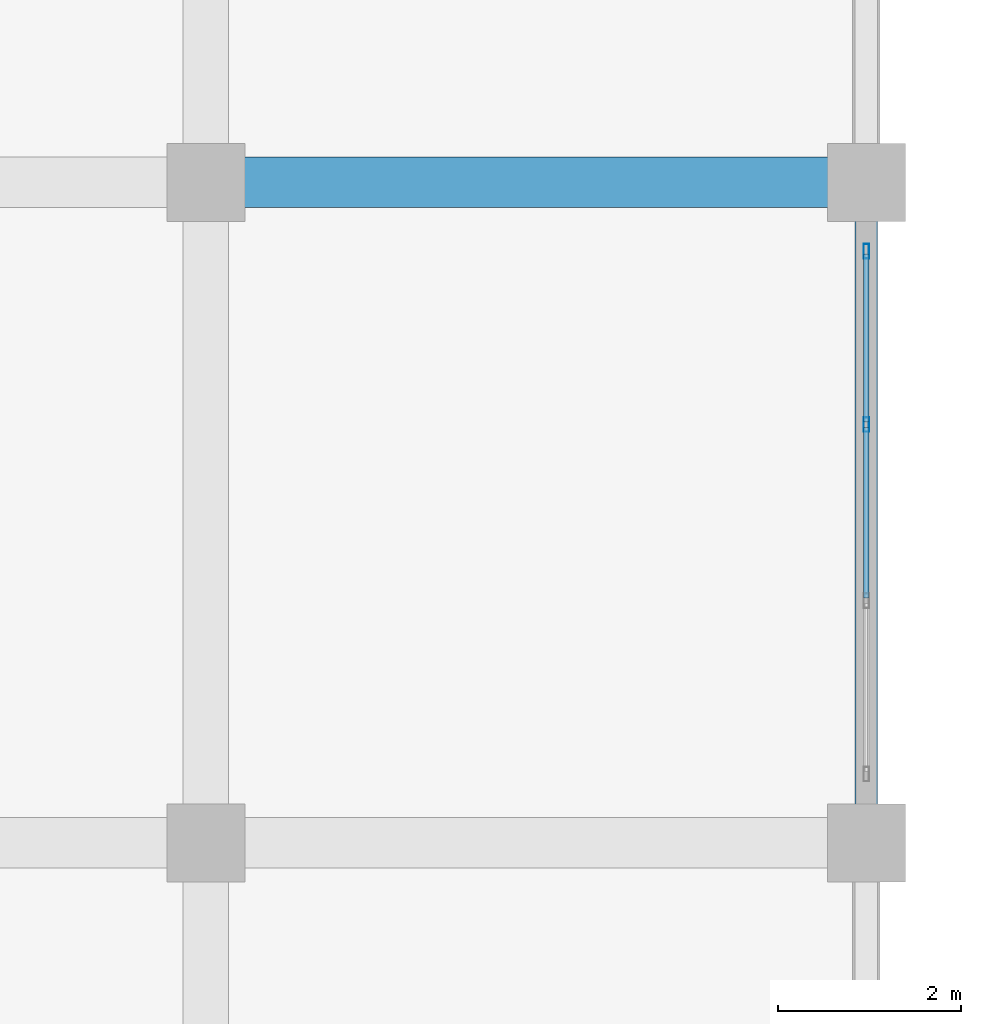
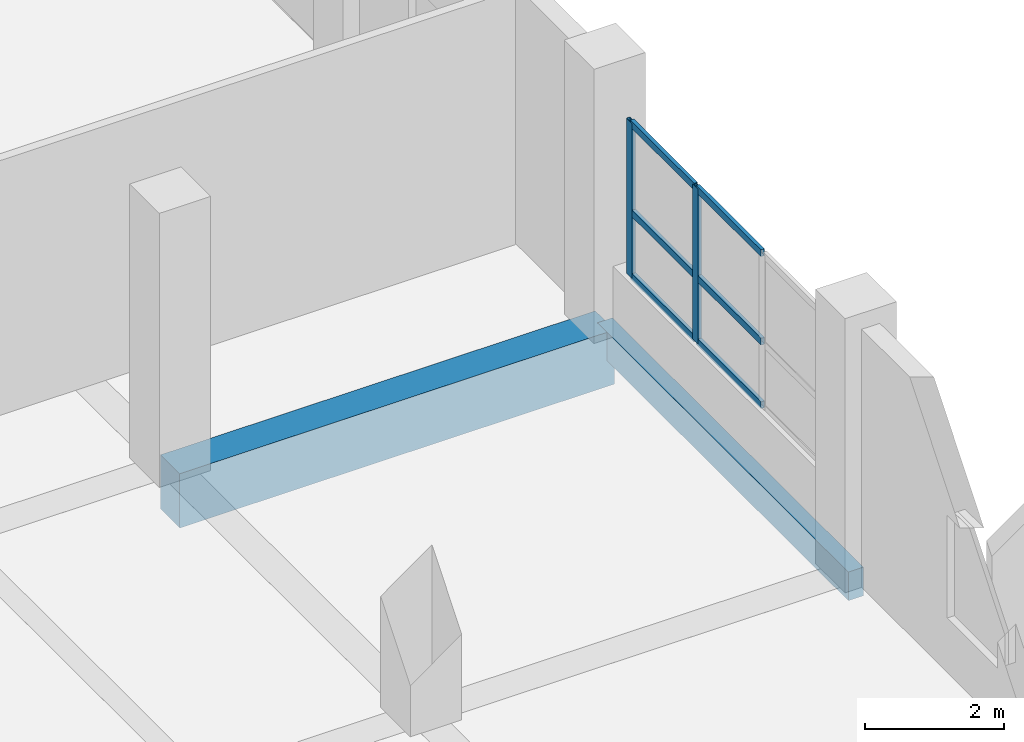
# One storey, part 125 of 181: 8 members, 2 beams, 1 element without a shape of its own.
"""IFC4 building model written with IfcOpenShell, lengths in metres."""

from ifc_helpers import new_model, si_unit, direction, frame, origin, origin_2d, place, context, subcontext, project, spatial, rectangle, hollow_rectangle, extrude, material, layer, layer_set, material_profile, profile_set, type_object, element, aggregate, save


model = new_model("IFC4")

# Units and contexts
model_context = context("Model", 3, precision=1e-05, world=origin(), true_north=direction((0.0, 1.0)))
body_context = subcontext(model_context, "Body", "Model", "MODEL_VIEW")
ifc_project = project(units=[si_unit("LENGTHUNIT", "METRE"), si_unit("AREAUNIT", "SQUARE_METRE"), si_unit("VOLUMEUNIT", "CUBIC_METRE"), si_unit("PLANEANGLEUNIT", "RADIAN"), si_unit("MASSUNIT", "GRAM", prefix="KILO")], contexts=[model_context])

# Site, building, storey
site_placement = place(None, origin())
site = spatial("IfcSite", under=ifc_project, at=site_placement, CompositionType="ELEMENT")
building_placement = place(site_placement, origin())
building = spatial("IfcBuilding", under=site, at=building_placement, Name="Seraya Terrace Polytechnic", CompositionType="ELEMENT")
storey_placement = place(building_placement, frame((0.0, 0.0, 4.800048828125)))
storey = spatial("IfcBuildingStorey", under=building, at=storey_placement, Name="L01", CompositionType="ELEMENT", Elevation=4.800048828125)

# Beam
ifc_material_1 = material(Name="Concrete C40/50", Category="concrete")
ifc_material_profile_1 = material_profile(ifc_material_1, rectangle(XDim=0.550048828125, YDim=0.949951171875, at=origin_2d()), Name="RC 550x950")
ifc_profile_set_1 = profile_set([ifc_material_profile_1], Name="Concrete C40/50")
beam_type_1 = type_object("IfcBeamType", Name="BM-03", PredefinedType="BEAM", material=ifc_profile_set_1)
beam_1_placement = place(storey_placement, frame((158.39990234375, 57.60009765625, -0.47509765625), z_axis=(1.0, 0.0, 0.0), x_axis=(0.0, 1.0, 0.0)))
element("IfcBeam", 1, at=beam_1_placement, inside=storey, type_object=beam_type_1, Name="Beam BM-03 L01 X (158.4..165.6, 57.6)", PredefinedType="BEAM", context=body_context, shape_type="SweptSolid", body=[
    extrude(rectangle(XDim=0.550048828125, YDim=0.949951171875, at=origin_2d()), origin(), (0.0, 0.0, 1.0), 7.2001953125),
])

# Curtain wall, members
ifc_material_2 = material(Name="Anodised aluminium EN AW-6063 T6", Category="aluminium")
ifc_layer = layer(ifc_material_2, 0.179931640625, Name="CW-23")
ifc_layer_set = layer_set([ifc_layer], Name="Anodised aluminium EN AW-6063 T6")
curtain_wall_type = type_object("IfcCurtainWallType", Name="CW-23", PredefinedType="NOTDEFINED", material=ifc_layer_set)
curtain_wall_placement = place(storey_placement, origin())
curtain_wall = element("IfcCurtainWall", 2, at=curtain_wall_placement, inside=storey, type_object=curtain_wall_type, Name="Unitised curtain wall CW-23 (CW-L01-023)", PredefinedType="NOTDEFINED")
ifc_material_profile_2 = material_profile(ifc_material_2, hollow_rectangle(XDim=0.06005859375, YDim=0.159912109375, WallThickness=0.00341796875, at=origin_2d()), Name="RHS 160x60x3.5")
ifc_profile_set_2 = profile_set([ifc_material_profile_2], Name="Anodised aluminium EN AW-6063 T6")
member_type_1 = type_object("IfcMemberType", Name="CWM-02", PredefinedType="MULLION", material=ifc_profile_set_2)
member_1_placement = place(storey_placement, frame((165.60009765625, 56.85009765625, 1.239990234375), z_axis=(0.0, 0.0, 1.0), x_axis=(1.0, 0.0, 0.0)))
member_1 = element("IfcMember", 3, at=member_1_placement, type_object=member_type_1, Name="CW-23 mullion 1", PredefinedType="MULLION", context=body_context, shape_type="SweptSolid", body=[
    extrude(hollow_rectangle(XDim=0.06005859375, YDim=0.159912109375, WallThickness=0.00341796875, at=origin_2d()), origin(), (0.0, 0.0, 1.0), 2.719970703125),
])
member_2_placement = place(storey_placement, frame((165.60009765625, 54.9599609375, 1.239990234375), z_axis=(0.0, 0.0, 1.0), x_axis=(1.0, 0.0, 0.0)))
member_2 = element("IfcMember", 4, at=member_2_placement, type_object=member_type_1, Name="CW-23 mullion 2", PredefinedType="MULLION", context=body_context, shape_type="SweptSolid", body=[
    extrude(hollow_rectangle(XDim=0.06005859375, YDim=0.159912109375, WallThickness=0.00341796875, at=origin_2d()), origin(), (0.0, 0.0, 1.0), 2.719970703125),
])
ifc_material_profile_3 = material_profile(ifc_material_2, hollow_rectangle(XDim=0.06005859375, YDim=0.1201171875, WallThickness=0.003173828125, at=origin_2d()), Name="RHS 120x60x3.2")
ifc_profile_set_3 = profile_set([ifc_material_profile_3], Name="Anodised aluminium EN AW-6063 T6")
member_type_2 = type_object("IfcMemberType", Name="CWT-02", PredefinedType="USERDEFINED", material=ifc_profile_set_3)
member_3_placement = place(storey_placement, frame((165.60009765625, 56.820068359375, 1.27001953125), z_axis=(0.0, -1.0, 0.0), x_axis=(1.0, 0.0, 0.0)))
member_3 = element("IfcMember", 5, at=member_3_placement, type_object=member_type_2, Name="CW-23 transom 1.1", ObjectType="TRANSOM", PredefinedType="USERDEFINED", context=body_context, shape_type="SweptSolid", body=[
    extrude(hollow_rectangle(XDim=0.06005859375, YDim=0.1201171875, WallThickness=0.003173828125, at=origin_2d()), origin(), (0.0, 0.0, 1.0), 1.830078125),
])
member_4_placement = place(storey_placement, frame((165.60009765625, 56.820068359375, 2.38232421875), z_axis=(0.0, -1.0, 0.0), x_axis=(1.0, 0.0, 0.0)))
member_4 = element("IfcMember", 6, at=member_4_placement, type_object=member_type_2, Name="CW-23 transom 1.2", ObjectType="TRANSOM", PredefinedType="USERDEFINED", context=body_context, shape_type="SweptSolid", body=[
    extrude(hollow_rectangle(XDim=0.06005859375, YDim=0.1201171875, WallThickness=0.003173828125, at=origin_2d()), origin(), (0.0, 0.0, 1.0), 1.830078125),
])
member_5_placement = place(storey_placement, frame((165.60009765625, 56.820068359375, 3.929931640625), z_axis=(0.0, -1.0, 0.0), x_axis=(1.0, 0.0, 0.0)))
member_5 = element("IfcMember", 7, at=member_5_placement, type_object=member_type_2, Name="CW-23 transom 1.3", ObjectType="TRANSOM", PredefinedType="USERDEFINED", context=body_context, shape_type="SweptSolid", body=[
    extrude(hollow_rectangle(XDim=0.06005859375, YDim=0.1201171875, WallThickness=0.003173828125, at=origin_2d()), origin(), (0.0, 0.0, 1.0), 1.830078125),
])
member_6_placement = place(storey_placement, frame((165.60009765625, 54.929931640625, 1.27001953125), z_axis=(0.0, -1.0, 0.0), x_axis=(1.0, 0.0, 0.0)))
member_6 = element("IfcMember", 8, at=member_6_placement, type_object=member_type_2, Name="CW-23 transom 2.1", ObjectType="TRANSOM", PredefinedType="USERDEFINED", context=body_context, shape_type="SweptSolid", body=[
    extrude(hollow_rectangle(XDim=0.06005859375, YDim=0.1201171875, WallThickness=0.003173828125, at=origin_2d()), origin(), (0.0, 0.0, 1.0), 1.85986328125),
])
member_7_placement = place(storey_placement, frame((165.60009765625, 54.929931640625, 2.38232421875), z_axis=(0.0, -1.0, 0.0), x_axis=(1.0, 0.0, 0.0)))
member_7 = element("IfcMember", 9, at=member_7_placement, type_object=member_type_2, Name="CW-23 transom 2.2", ObjectType="TRANSOM", PredefinedType="USERDEFINED", context=body_context, shape_type="SweptSolid", body=[
    extrude(hollow_rectangle(XDim=0.06005859375, YDim=0.1201171875, WallThickness=0.003173828125, at=origin_2d()), origin(), (0.0, 0.0, 1.0), 1.85986328125),
])
member_8_placement = place(storey_placement, frame((165.60009765625, 54.929931640625, 3.929931640625), z_axis=(0.0, -1.0, 0.0), x_axis=(1.0, 0.0, 0.0)))
member_8 = element("IfcMember", 10, at=member_8_placement, type_object=member_type_2, Name="CW-23 transom 2.3", ObjectType="TRANSOM", PredefinedType="USERDEFINED", context=body_context, shape_type="SweptSolid", body=[
    extrude(hollow_rectangle(XDim=0.06005859375, YDim=0.1201171875, WallThickness=0.003173828125, at=origin_2d()), origin(), (0.0, 0.0, 1.0), 1.85986328125),
])
aggregate(curtain_wall, [member_1, member_2, member_3, member_4, member_5, member_6, member_7, member_8])

# Beam
ifc_material_profile_4 = material_profile(ifc_material_1, rectangle(XDim=0.25, YDim=0.5, at=origin_2d()), Name="RC 250x500")
ifc_profile_set_4 = profile_set([ifc_material_profile_4], Name="Concrete C40/50")
beam_type_2 = type_object("IfcBeamType", Name="SP-03", PredefinedType="SPANDREL", material=ifc_profile_set_4)
beam_2_placement = place(storey_placement, frame((165.60009765625, 50.39990234375, -0.25), z_axis=(0.0, 1.0, 0.0), x_axis=(-1.0, 0.0, 0.0)))
element("IfcBeam", 11, at=beam_2_placement, inside=storey, type_object=beam_type_2, Name="Beam SP-03 L01 Y (165.6, 50.4..57.6)", PredefinedType="SPANDREL", context=body_context, shape_type="SweptSolid", body=[
    extrude(rectangle(XDim=0.25, YDim=0.5, at=origin_2d()), origin(), (0.0, 0.0, 1.0), 7.2001953125),
])

save(model, "model.ifc")
